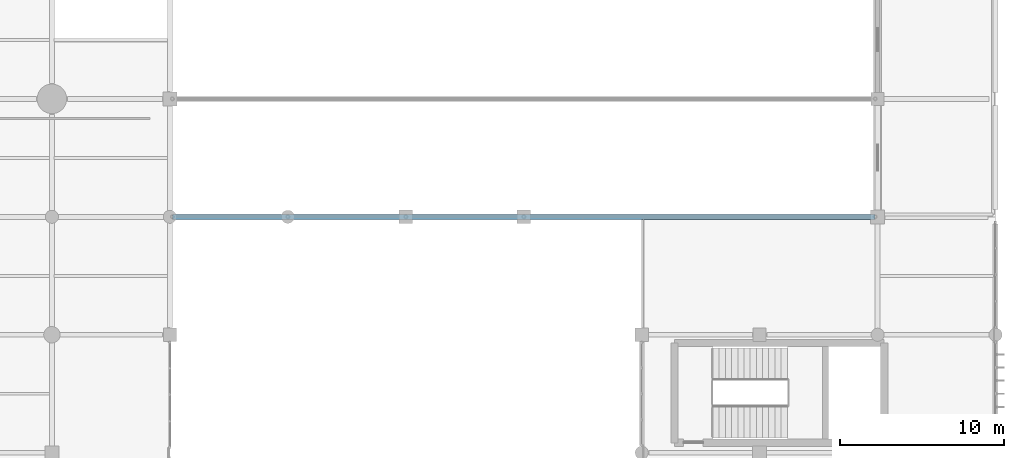
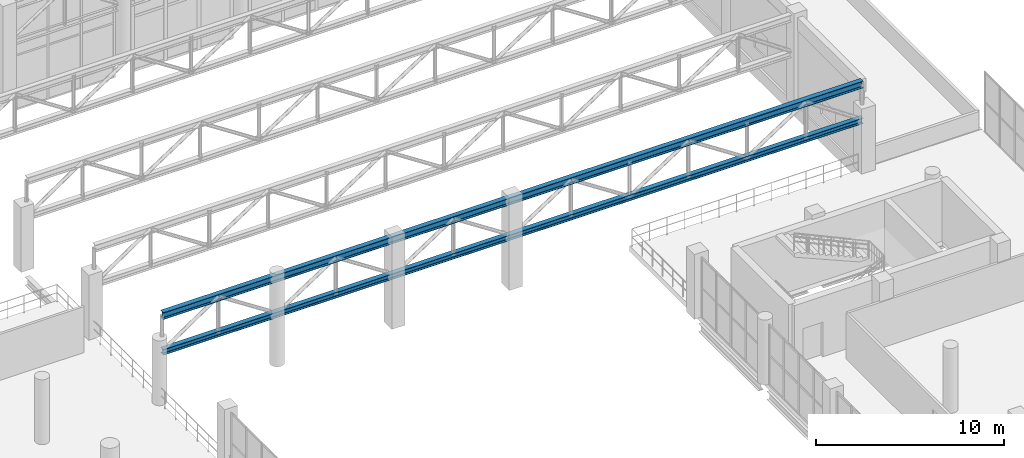
# One storey, part 83 of 153: 2 beams.
"""IFC4 building model written with IfcOpenShell, lengths in metres."""

from ifc_helpers import new_model, si_unit, direction, frame, origin, origin_2d, place, context, subcontext, project, spatial, i_section, extrude, material, material_profile, profile_set, type_object, element, save


model = new_model("IFC4")

# Units and contexts
model_context = context("Model", 3, precision=1e-05, world=origin(), true_north=direction((0.0, 1.0)))
body_context = subcontext(model_context, "Body", "Model", "MODEL_VIEW")
ifc_project = project(units=[si_unit("LENGTHUNIT", "METRE"), si_unit("AREAUNIT", "SQUARE_METRE"), si_unit("VOLUMEUNIT", "CUBIC_METRE"), si_unit("PLANEANGLEUNIT", "RADIAN"), si_unit("MASSUNIT", "GRAM", prefix="KILO")], contexts=[model_context])

# Site, building, storey
site_placement = place(None, origin())
site = spatial("IfcSite", under=ifc_project, at=site_placement, CompositionType="ELEMENT")
building_placement = place(site_placement, origin())
building = spatial("IfcBuilding", under=site, at=building_placement, Name="Qandorah Velis Arena", CompositionType="ELEMENT")
storey_placement = place(building_placement, frame((0.0, 0.0, 5.39990234375)))
storey = spatial("IfcBuildingStorey", under=building, at=storey_placement, Name="L01", CompositionType="ELEMENT", Elevation=5.39990234375)

# Beams
ifc_material = material(Name="Steel S355", Category="steel")
ifc_material_profile_1 = material_profile(ifc_material, i_section(OverallWidth=0.300048828125, OverallDepth=0.360107421875, WebThickness=0.012451171875, FlangeThickness=0.0224609375, FilletRadius=0.027099609375, at=origin_2d()), Name="HEB 360")
ifc_profile_set_1 = profile_set([ifc_material_profile_1], Name="Steel S355")
beam_type_1 = type_object("IfcBeamType", Name="STR-BM-HEB360", PredefinedType="BEAM", material=ifc_profile_set_1)
beam_1_placement = place(storey_placement, frame((122.550048828125, 93.60009765625, 3.205078125), z_axis=(1.0, 0.0, 0.0), x_axis=(0.0, 1.0, 0.0)))
element("IfcBeam", 1, at=beam_1_placement, inside=storey, type_object=beam_type_1, Name="Practice court roof truss 1 bottom chord", PredefinedType="BEAM", context=body_context, shape_type="SweptSolid", body=[
    extrude(i_section(OverallWidth=0.300048828125, OverallDepth=0.360107421875, WebThickness=0.012451171875, FlangeThickness=0.0224609375, FilletRadius=0.027099609375, at=origin_2d()), origin(), (0.0, 0.0, 1.0), 42.89990234375),
])
ifc_material_profile_2 = material_profile(ifc_material, i_section(OverallWidth=0.300048828125, OverallDepth=0.449951171875, WebThickness=0.013916015625, FlangeThickness=0.02587890625, FilletRadius=0.027099609375, at=origin_2d()), Name="HEB 450")
ifc_profile_set_2 = profile_set([ifc_material_profile_2], Name="Steel S355")
beam_type_2 = type_object("IfcBeamType", Name="STR-BM-HEB450", PredefinedType="BEAM", material=ifc_profile_set_2)
beam_2_placement = place(storey_placement, frame((122.550048828125, 93.60009765625, 5.55517578125), z_axis=(1.0, 0.0, 0.0), x_axis=(0.0, 1.0, 0.0)))
element("IfcBeam", 2, at=beam_2_placement, inside=storey, type_object=beam_type_2, Name="Practice court roof truss 1 top chord", PredefinedType="BEAM", context=body_context, shape_type="SweptSolid", body=[
    extrude(i_section(OverallWidth=0.300048828125, OverallDepth=0.449951171875, WebThickness=0.013916015625, FlangeThickness=0.02587890625, FilletRadius=0.027099609375, at=origin_2d()), origin(), (0.0, 0.0, 1.0), 42.89990234375),
])

save(model, "model.ifc")
